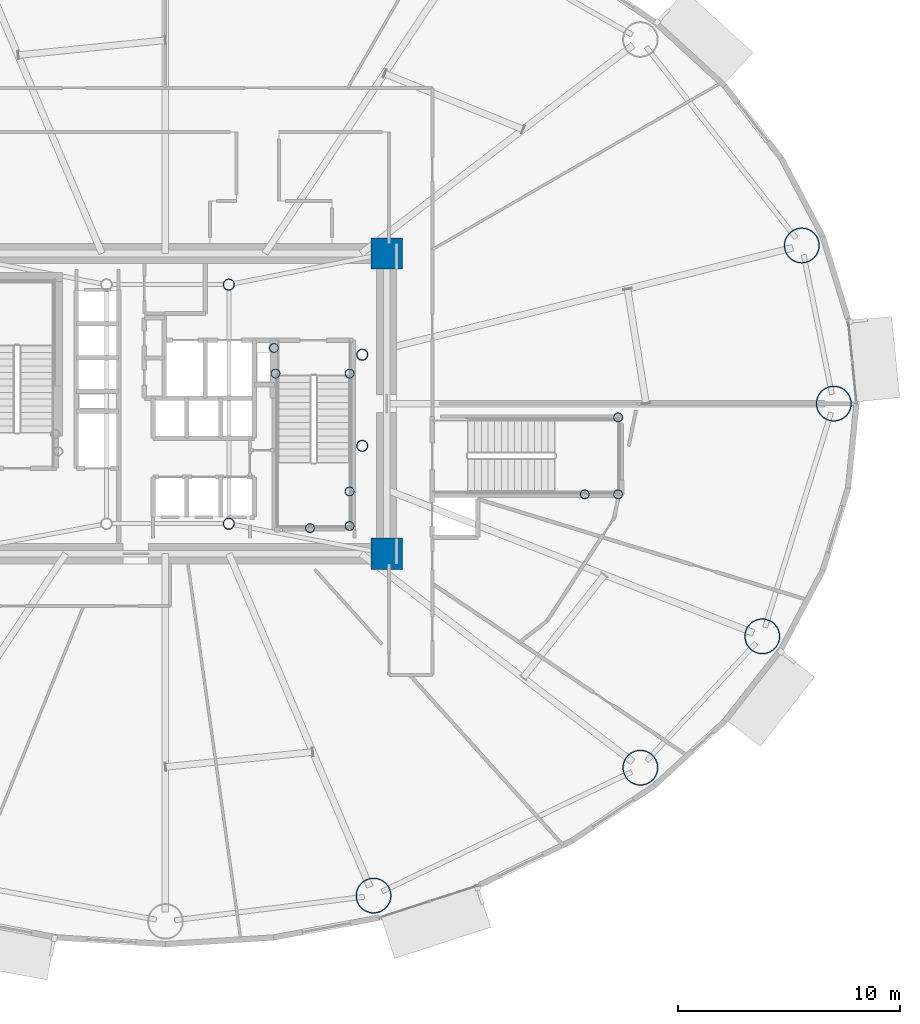
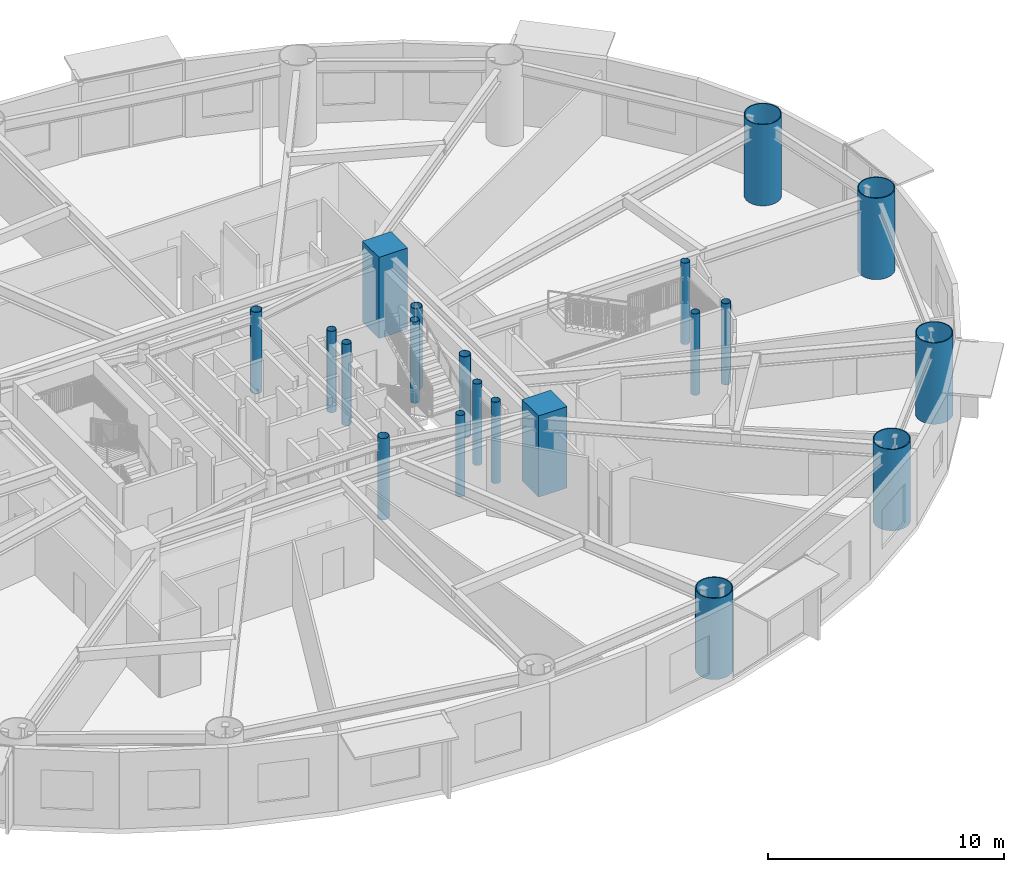
# One storey, part 2 of 35: 20 columns.
"""IFC4 building model written with IfcOpenShell, lengths in metres."""

from ifc_helpers import new_model, si_unit, direction, frame, origin, origin_2d, place, context, subcontext, project, spatial, rectangle, hollow_circle, extrude, material, material_profile, profile_set, type_object, element, save


model = new_model("IFC4")

# Units and contexts
model_context = context("Model", 3, precision=1e-05, world=origin(), true_north=direction((0.0, 1.0)))
body_context = subcontext(model_context, "Body", "Model", "MODEL_VIEW")
ifc_project = project(units=[si_unit("LENGTHUNIT", "METRE"), si_unit("AREAUNIT", "SQUARE_METRE"), si_unit("VOLUMEUNIT", "CUBIC_METRE"), si_unit("PLANEANGLEUNIT", "RADIAN"), si_unit("MASSUNIT", "GRAM", prefix="KILO")], contexts=[model_context])

# Site, building, storey
site_placement = place(None, origin())
site = spatial("IfcSite", under=ifc_project, at=site_placement, CompositionType="ELEMENT")
building_placement = place(site_placement, origin())
building = spatial("IfcBuilding", under=site, at=building_placement, Name="Linh Dai School and Residence Tower", CompositionType="ELEMENT")
storey_placement = place(building_placement, frame((0.0, 0.0, 49.199951171875)))
storey = spatial("IfcBuildingStorey", under=building, at=storey_placement, Name="L11", CompositionType="ELEMENT", Elevation=49.199951171875)

# Columns
ifc_material_1 = material(Name="Concrete B60 (C50/60)", Category="concrete")
ifc_material_profile_1 = material_profile(ifc_material_1, rectangle(XDim=1.39990234375, YDim=1.39990234375, at=origin_2d()), Name="RC 1400x1400")
ifc_profile_set_1 = profile_set([ifc_material_profile_1], Name="Concrete B60 (C50/60)")
column_type_1 = type_object("IfcColumnType", Name="COL-CC1", PredefinedType="COLUMN", material=ifc_profile_set_1)
for number, where, z_axis, x_axis, name in (
    (1, (45.949951171875, 20.25, 0.0), (0.0, 0.0, 1.0), (1.0, 0.0, 0.0), "L11 Core Corner Pier CC2"),
    (2, (45.949951171875, 33.75, 0.0), (0.0, 0.0, 1.0), (1.0, 0.0, 0.0), "L11 Core Corner Pier CC3"),
):
    element("IfcColumn", number, at=place(storey_placement, frame(where, z_axis=z_axis, x_axis=x_axis)), inside=storey, type_object=column_type_1, Name=name, PredefinedType="COLUMN", context=body_context, shape_type="SweptSolid", body=[
        extrude(rectangle(XDim=1.39990234375, YDim=1.39990234375, at=origin_2d()), origin(), (0.0, 0.0, 1.0), 4.199951171875),
    ])
ifc_material_2 = material(Name="Structural Steel S355JR", Category="steel")
ifc_material_profile_2 = material_profile(ifc_material_2, hollow_circle(Radius=0.203125, WallThickness=0.01611328125, at=origin_2d()), Name="CHS 406.4x16")
ifc_profile_set_2 = profile_set([ifc_material_profile_2], Name="Structural Steel S355JR")
column_type_2 = type_object("IfcColumnType", Name="COL-EC", PredefinedType="COLUMN", material=ifc_profile_set_2)
for number, where, z_axis, x_axis, name in (
    (3, (44.280029296875, 21.5, 0.0), (0.0, 0.0, 1.0), (1.0, 0.0, 0.0), "L11 Stair Shaft Landing Support Pier ST2SE"),
    (4, (44.280029296875, 23.050048828125, 0.0), (0.0, 0.0, 1.0), (1.0, 0.0, 0.0), "L11 Stair Shaft Landing Support Pier ST2NE"),
    (5, (42.5, 21.39990234375, 0.0), (0.0, 0.0, 1.0), (1.0, 0.0, 0.0), "L11 Stair Shaft Landing Support Pier ST2MS"),
    (6, (40.949951171875, 28.35009765625, 0.0), (0.0, 0.0, 1.0), (1.0, 0.0, 0.0), "L11 Stair Shaft Landing Support Pier ST2N1"),
    (7, (44.280029296875, 28.35009765625, 0.0), (0.0, 0.0, 1.0), (1.0, 0.0, 0.0), "L11 Stair Shaft Landing Support Pier ST2N2"),
    (8, (40.8798828125, 29.5, 0.0), (0.0, 0.0, 1.0), (1.0, 0.0, 0.0), "L11 Stair Shaft Landing Support Pier ST2N3"),
    (9, (56.35009765625, 26.3798828125, 0.0), (0.0, 0.0, 1.0), (1.0, 0.0, 0.0), "L11 Stair Shaft Landing Support Pier STS2NE"),
    (10, (56.35009765625, 22.919921875, 0.0), (0.0, 0.0, 1.0), (1.0, 0.0, 0.0), "L11 Stair Shaft Landing Support Pier STS2SE"),
    (11, (54.85009765625, 22.919921875, 0.0), (0.0, 0.0, 1.0), (1.0, 0.0, 0.0), "L11 Stair Shaft Landing Support Pier STS2MW"),
):
    element("IfcColumn", number, at=place(storey_placement, frame(where, z_axis=z_axis, x_axis=x_axis)), inside=storey, type_object=column_type_2, Name=name, PredefinedType="COLUMN", context=body_context, shape_type="SweptSolid", body=[
        extrude(hollow_circle(Radius=0.203125, WallThickness=0.01611328125, at=origin_2d()), origin(), (0.0, 0.0, 1.0), 4.199951171875),
    ])
ifc_material_profile_3 = material_profile(ifc_material_2, hollow_circle(Radius=0.800048828125, WallThickness=0.044921875, at=origin_2d()), Name="CHS 1600x45")
ifc_profile_set_3 = profile_set([ifc_material_profile_3], Name="Structural Steel S355JR")
column_type_3 = type_object("IfcColumnType", Name="COL-MC2", PredefinedType="COLUMN", material=ifc_profile_set_3)
for number, where, z_axis, x_axis, name in (
    (12, (66.050048828125, 27.0, 0.0), (0.0, 0.0, 1.0), (1.0, 0.0, 0.0), "L11 Perimeter CFT Mega-Column MC01"),
    (13, (64.61083984375, 34.108642578125, 0.0), (0.0, 0.0, 1.0), (1.0, 0.0, 0.0), "L11 Perimeter CFT Mega-Column MC02"),
    (14, (45.357666015625, 4.880126953125, 0.0), (0.0, 0.0, 1.0), (1.0, 0.0, 0.0), "L11 Perimeter CFT Mega-Column MC14"),
    (15, (57.352783203125, 10.630859375, 0.0), (0.0, 0.0, 1.0), (1.0, 0.0, 0.0), "L11 Perimeter CFT Mega-Column MC15"),
    (16, (62.83544921875, 16.5361328125, 0.0), (0.0, 0.0, 1.0), (1.0, 0.0, 0.0), "L11 Perimeter CFT Mega-Column MC16"),
):
    element("IfcColumn", number, at=place(storey_placement, frame(where, z_axis=z_axis, x_axis=x_axis)), inside=storey, type_object=column_type_3, Name=name, PredefinedType="COLUMN", context=body_context, shape_type="SweptSolid", body=[
        extrude(hollow_circle(Radius=0.800048828125, WallThickness=0.044921875, at=origin_2d()), origin(), (0.0, 0.0, 1.0), 4.199951171875),
    ])
ifc_material_profile_4 = material_profile(ifc_material_2, hollow_circle(Radius=0.25390625, WallThickness=0.02001953125, at=origin_2d()), Name="CHS 508x20")
ifc_profile_set_4 = profile_set([ifc_material_profile_4], Name="Structural Steel S355JR")
column_type_4 = type_object("IfcColumnType", Name="COL-MCP", PredefinedType="COLUMN", material=ifc_profile_set_4)
for number, where, z_axis, x_axis, name in (
    (17, (38.85009765625, 21.60009765625, 0.0), (0.0, 0.0, 1.0), (1.0, 0.0, 0.0), "L11 Core Mast Support Pier MCP2"),
    (18, (38.85009765625, 32.35009765625, 0.0), (0.0, 0.0, 1.0), (1.0, 0.0, 0.0), "L11 Core Mast Support Pier MCP3"),
    (19, (44.85009765625, 25.10009765625, 0.0), (0.0, 0.0, 1.0), (1.0, 0.0, 0.0), "L11 Sky-Lounge Core Anchor Pier S"),
    (20, (44.85009765625, 29.199951171875, 0.0), (0.0, 0.0, 1.0), (1.0, 0.0, 0.0), "L11 Sky-Lounge Core Anchor Pier N"),
):
    element("IfcColumn", number, at=place(storey_placement, frame(where, z_axis=z_axis, x_axis=x_axis)), inside=storey, type_object=column_type_4, Name=name, PredefinedType="COLUMN", context=body_context, shape_type="SweptSolid", body=[
        extrude(hollow_circle(Radius=0.25390625, WallThickness=0.02001953125, at=origin_2d()), origin(), (0.0, 0.0, 1.0), 4.199951171875),
    ])

save(model, "model.ifc")
